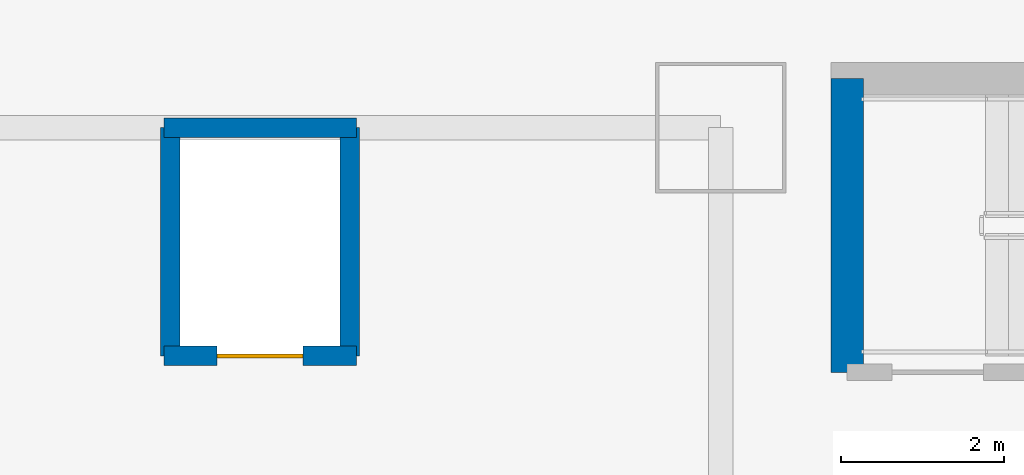
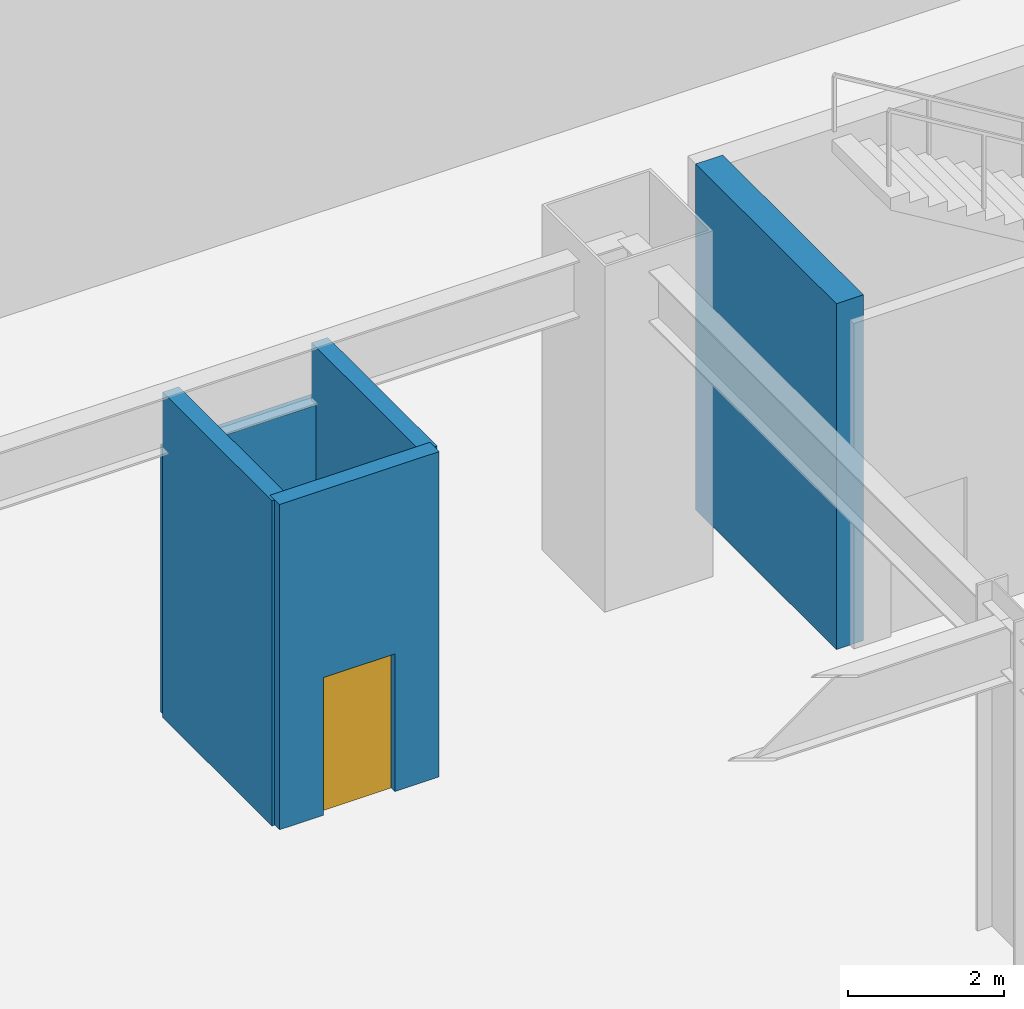
# One storey, part 6 of 16: 5 walls, 1 door, 1 opening.
"""IFC4 building model written with IfcOpenShell, lengths in metres."""

import ifcopenshell
import ifcopenshell.guid

model = None  # the IFC model being written
_history = None  # IfcOwnerHistory: only IFC2X3 demands one
_inside = {}  # id of a spatial element -> (the spatial element, [elements in it])
_under = {}  # id of a project, library or spatial element -> (it, [spatial elements below it])
_declared = {}  # id of a project -> (the project, [libraries it declares])
_typed = {}  # id of a type object -> (the type object, [elements of that type])
_made_of = {}  # id of a material, layer set ... -> (it, [elements and type objects made of it])


def new_model(schema):
    """Start an empty IFC model of exactly this schema.

    Asked for "IFC4X3", IfcOpenShell would pick the latest addendum, in which some entities
    have other attributes; the version numbers below select the first issue.
    IFC2X3 requires an IfcOwnerHistory on every rooted entity: one is made here for all.
    """
    global model, _history
    if schema == "IFC4X3":
        model = ifcopenshell.file(schema_version=(4, 3, 0, 0))
    else:
        model = ifcopenshell.file(schema=schema)
    _inside.clear()
    _under.clear()
    _declared.clear()
    _typed.clear()
    _made_of.clear()
    _history = None
    if model.schema == "IFC2X3":
        org = make("IfcOrganization", Name="unknown")
        user = make(
            "IfcPersonAndOrganization",
            ThePerson=make("IfcPerson", FamilyName="unknown"),
            TheOrganization=org,
        )
        app = make(
            "IfcApplication",
            ApplicationDeveloper=org,
            Version="unknown",
            ApplicationFullName="unknown",
            ApplicationIdentifier="unknown",
        )
        _history = make(
            "IfcOwnerHistory",
            OwningUser=user,
            OwningApplication=app,
            ChangeAction="ADDED",
            CreationDate=0,
        )
    return model


def make(cls, **values):
    """One entity of the class cls with the attributes given. An attribute that is None is left unset."""
    return model.create_entity(
        cls, **{name: value for name, value in values.items() if value is not None}
    )


def rooted(cls, **values):
    """An entity with a GlobalId (a new one), such as an element, a storey or a relation."""
    return make(cls, GlobalId=ifcopenshell.guid.new(), OwnerHistory=_history, **values)


def si_unit(unit_type, name, prefix=None):
    """IfcSIUnit, for example si_unit("LENGTHUNIT", "METRE", prefix="MILLI")."""
    return make("IfcSIUnit", UnitType=unit_type, Prefix=prefix, Name=name)


def assignment(units):
    """IfcUnitAssignment: the units of a project."""
    return None if units is None else make("IfcUnitAssignment", Units=units)


def point(xyz):
    """IfcCartesianPoint."""
    return None if xyz is None else make("IfcCartesianPoint", Coordinates=xyz)


def direction(xyz):
    """IfcDirection."""
    return None if xyz is None else make("IfcDirection", DirectionRatios=xyz)


def frame(location, z_axis=None, x_axis=None):
    """IfcAxis2Placement3D, a coordinate frame: its origin and axes. An axis left out is left unset."""
    return make(
        "IfcAxis2Placement3D",
        Location=point(location),
        Axis=direction(z_axis),
        RefDirection=direction(x_axis),
    )


def frame_2d(location, x_axis=None):
    """IfcAxis2Placement2D, a coordinate frame in the plane: its origin and x axis."""
    return make(
        "IfcAxis2Placement2D", Location=point(location), RefDirection=direction(x_axis)
    )


def origin():
    """The frame at (0, 0, 0) with its axes left unset."""
    return frame((0.0, 0.0, 0.0))


def place(relative_to, where):
    """IfcLocalPlacement: puts the frame where relative to a parent placement (None: the world)."""
    return make(
        "IfcLocalPlacement", PlacementRelTo=relative_to, RelativePlacement=where
    )


def context(
    kind, dimensions, precision=None, world=None, true_north=None, identifier=None
):
    """IfcGeometricRepresentationContext, for example the 3D "Model" context."""
    return make(
        "IfcGeometricRepresentationContext",
        ContextIdentifier=identifier,
        ContextType=kind,
        CoordinateSpaceDimension=dimensions,
        Precision=precision,
        WorldCoordinateSystem=world,
        TrueNorth=true_north,
    )


def subcontext(parent, identifier, kind, view, scale=None):
    """IfcGeometricRepresentationSubContext, for example "Body" below "Model"."""
    return make(
        "IfcGeometricRepresentationSubContext",
        ContextIdentifier=identifier,
        ContextType=kind,
        ParentContext=parent,
        TargetScale=scale,
        TargetView=view,
    )


def project(units=None, contexts=None):
    """IfcProject with its units and contexts."""
    return rooted(
        "IfcProject",
        Name="project",
        RepresentationContexts=contexts,
        UnitsInContext=assignment(units),
    )


def spatial(cls, under=None, at=None, **own):
    """A site, building, storey or space (cls), placed at a placement, below another one or the project."""
    s = rooted(cls, ObjectPlacement=at, **own)
    if under is not None:
        _under.setdefault(under.id(), (under, []))[1].append(s)
    return s


def profile(cls, at=None, kind="AREA", **sizes):
    """A parametric profile (cls). Its sizes go by their IFC names, for example OverallWidth=200.0."""
    return make(cls, ProfileType=kind, Position=at, **sizes)


def rectangle(**sizes):
    """IfcRectangleProfileDef."""
    return profile("IfcRectangleProfileDef", **sizes)


def extrude(swept, where, along, depth):
    """IfcExtrudedAreaSolid: the profile swept, set in the frame where, extruded along a direction by depth."""
    return make(
        "IfcExtrudedAreaSolid",
        SweptArea=swept,
        Position=where,
        ExtrudedDirection=direction(along),
        Depth=depth,
    )


def shape(context_of_items, identifier, shape_type, items):
    """IfcShapeRepresentation: the items that make up one representation, for example the "Body"."""
    return make(
        "IfcShapeRepresentation",
        ContextOfItems=context_of_items,
        RepresentationIdentifier=identifier,
        RepresentationType=shape_type,
        Items=items,
    )


def material(Name=None, Category=None):
    """IfcMaterial."""
    return make("IfcMaterial", Name=Name, Category=Category)


def layer(
    of_material, thickness, ventilated=None, Name=None, Category=None, Priority=None
):
    """IfcMaterialLayer: one layer of a wall or slab, of a material (None: an air gap)."""
    return make(
        "IfcMaterialLayer",
        Material=of_material,
        LayerThickness=thickness,
        IsVentilated=ventilated,
        Name=Name,
        Category=Category,
        Priority=Priority,
    )


def layer_set(layers, Name=None):
    """IfcMaterialLayerSet."""
    return make("IfcMaterialLayerSet", MaterialLayers=layers, LayerSetName=Name)


def made_of(thing, what):
    """Note that an element or type object is made of a material, layer set ...; save() writes the relation."""
    if what is not None:
        _made_of.setdefault(what.id(), (what, []))[1].append(thing)
    return thing


def type_object(cls, material=None, **own):
    """A type object (cls), such as IfcWallType, which elements share."""
    return made_of(rooted(cls, **own), material)


def element(
    cls,
    number,
    at=None,
    inside=None,
    cuts=None,
    type_object=None,
    material=None,
    context=None,
    identifier="Body",
    shape_type=None,
    held_by="IfcProductDefinitionShape",
    body=None,
    shapes=None,
    **own,
):
    """One element of the class cls, such as IfcWall. Its Tag is "e" and its number.

    at: its placement. inside: the storey or other place that contains it. cuts: it is an
    opening in that element (IfcRelVoidsElement). A single representation is given by context,
    identifier, shape_type and body (its items); several are given by shapes. held_by: the class
    of the entity that holds the representations. save() writes the other relations.
    """
    e = rooted(cls, Tag="e%d" % number, ObjectPlacement=at, **own)
    if body is not None:
        shapes = [shape(context, identifier, shape_type, body)]
    if shapes is not None:
        e.Representation = make(held_by, Representations=shapes)
    if inside is not None:
        _inside.setdefault(inside.id(), (inside, []))[1].append(e)
    if cuts is not None:
        rooted(
            "IfcRelVoidsElement", RelatingBuildingElement=cuts, RelatedOpeningElement=e
        )
    if type_object is not None:
        _typed.setdefault(type_object.id(), (type_object, []))[1].append(e)
    return made_of(e, material)


def fill(opening, filler):
    """IfcRelFillsElement: the door or window that sits in an opening."""
    return rooted(
        "IfcRelFillsElement",
        RelatingOpeningElement=opening,
        RelatedBuildingElement=filler,
    )


def aggregate(whole, parts):
    """IfcRelAggregates: a whole, such as a stair, and the parts it consists of."""
    return rooted("IfcRelAggregates", RelatingObject=whole, RelatedObjects=parts)


def save(model, path):
    """Write the relations noted so far, then the file.

    IfcRelAggregates (storeys below a building ...), IfcRelContainedInSpatialStructure (elements
    in a storey), IfcRelDefinesByType, IfcRelAssociatesMaterial and IfcRelDeclares: one each for
    every whole, place, type object, material and project.
    """
    for whole, parts in _under.values():
        aggregate(whole, parts)
    for where, things in _inside.values():
        rooted(
            "IfcRelContainedInSpatialStructure",
            RelatedElements=things,
            RelatingStructure=where,
        )
    for kind, things in _typed.values():
        rooted("IfcRelDefinesByType", RelatedObjects=things, RelatingType=kind)
    for what, things in _made_of.values():
        rooted("IfcRelAssociatesMaterial", RelatedObjects=things, RelatingMaterial=what)
    for by, libraries in _declared.values():
        rooted("IfcRelDeclares", RelatingContext=by, RelatedDefinitions=libraries)
    model.write(path)


model = new_model("IFC4")

# Units and contexts
model_context = context("Model", 3, precision=1e-05, world=origin(), true_north=direction((0.0, 1.0)))
body_context = subcontext(model_context, "Body", "Model", "MODEL_VIEW")
ifc_project = project(units=[si_unit("LENGTHUNIT", "METRE"), si_unit("AREAUNIT", "SQUARE_METRE"), si_unit("VOLUMEUNIT", "CUBIC_METRE"), si_unit("PLANEANGLEUNIT", "RADIAN"), si_unit("MASSUNIT", "GRAM", prefix="KILO")], contexts=[model_context])

# Site, building, storey
site_placement = place(None, origin())
site = spatial("IfcSite", under=ifc_project, at=site_placement, CompositionType="ELEMENT")
building_placement = place(site_placement, origin())
building = spatial("IfcBuilding", under=site, at=building_placement, Name="Haevon Station Towers", CompositionType="ELEMENT")
storey_placement = place(building_placement, frame((0.0, 0.0, -5.39990234375)))
storey = spatial("IfcBuildingStorey", under=building, at=storey_placement, Name="B01", CompositionType="ELEMENT", Elevation=-5.39990234375)

# Wall
ifc_material_1 = material(Name="Concrete C60/75", Category="concrete")
ifc_layer_1 = layer(ifc_material_1, 0.39990234375)
ifc_layer_set_1 = layer_set([ifc_layer_1], Name="Concrete C60/75")
wall_type_1 = type_object("IfcWallType", Name="WL-CR400", PredefinedType="SHEAR", material=ifc_layer_set_1)
wall_1_placement = place(storey_placement, frame((66.300048828125, 45.0, 0.0), z_axis=(0.0, 0.0, 1.0), x_axis=(0.0, 1.0, 0.0)))
element("IfcWall", 1, at=wall_1_placement, inside=storey, type_object=wall_type_1, Name="WL-ST6CR-B01-W", PredefinedType="SHEAR", context=body_context, shape_type="SweptSolid", body=[
    extrude(rectangle(XDim=3.60009765625, YDim=0.39990234375, at=frame_2d((1.800048828125, 0.0))), origin(), (0.0, 0.0, 1.0), 5.39990234375),
])

# Wall, opening, door
ifc_material_2 = material(Name="Concrete C40/50", Category="concrete")
ifc_layer_2 = layer(ifc_material_2, 0.239990234375)
ifc_layer_set_2 = layer_set([ifc_layer_2], Name="Concrete C40/50")
wall_type_2 = type_object("IfcWallType", Name="WL-SHF240", PredefinedType="PARTITIONING", material=ifc_layer_set_2)
wall_2_placement = place(storey_placement, frame((57.919921875, 45.199951171875, 0.0), z_axis=(0.0, 0.0, 1.0), x_axis=(1.0, 0.0, 0.0)))
wall_2 = element("IfcWall", 2, at=wall_2_placement, inside=storey, type_object=wall_type_2, Name="WL-SHF-PL11-B01", PredefinedType="PARTITIONING", context=body_context, shape_type="SweptSolid", body=[
    extrude(rectangle(XDim=2.360107421875, YDim=0.239990234375, at=frame_2d((1.18017578125, 0.0))), origin(), (0.0, 0.0, 1.0), 5.079833984375),
])
opening_placement = place(wall_2_placement, frame((0.655029296875, 0.0, 0.0)))
opening = element("IfcOpeningElement", 3, at=opening_placement, cuts=wall_2, Name="Opening LD-PL11-B01", PredefinedType="OPENING", context=body_context, shape_type="SweptSolid", body=[
    extrude(rectangle(XDim=1.050048828125, YDim=2.14990234375, at=frame_2d((0.52490234375, 1.074951171875))), frame((0.0, 0.1298828125, 0.0), z_axis=(0.0, -1.0, 0.0), x_axis=(1.0, 0.0, 0.0)), (0.0, 0.0, 1.0), 0.260009765625),
])
ifc_material_3 = material(Name="Stainless steel and rated core", Category="steel")
door_type = type_object("IfcDoorType", Name="LD-PL1050", OperationType="SLIDING_TO_LEFT", PredefinedType="DOOR", material=ifc_material_3)
door_placement = place(opening_placement, origin())
door = element("IfcDoor", 4, at=door_placement, inside=storey, type_object=door_type, Name="B01 Lift PL11 Sliding Landing Door", OperationType="SLIDING_TO_LEFT", OverallHeight=2.14990234375, OverallWidth=1.050048828125, PredefinedType="DOOR", context=body_context, shape_type="SweptSolid", body=[
    extrude(rectangle(XDim=1.050048828125, YDim=2.14990234375, at=frame_2d((0.52490234375, 1.074951171875))), frame((0.0, 0.02490234375, 0.0), z_axis=(0.0, -1.0, 0.0), x_axis=(1.0, 0.0, 0.0)), (0.0, 0.0, 1.0), 0.050048828125),
])
fill(opening, door)

# Walls
wall_3_placement = place(storey_placement, frame((57.919921875, 48.0, 0.0), z_axis=(0.0, 0.0, 1.0), x_axis=(1.0, 0.0, 0.0)))
element("IfcWall", 5, at=wall_3_placement, inside=storey, type_object=wall_type_2, Name="WL-SHF-PL11-B01-N", PredefinedType="PARTITIONING", context=body_context, shape_type="SweptSolid", body=[
    extrude(rectangle(XDim=2.360107421875, YDim=0.239990234375, at=frame_2d((1.18017578125, 0.0))), origin(), (0.0, 0.0, 1.0), 4.179931640625),
])
for number, where, z_axis, x_axis, name in (
    (6, (58.0, 45.199951171875, 0.0), (0.0, 0.0, 1.0), (0.0, 1.0, 0.0), "WL-SHF-PL11-B01-W"),
    (7, (60.199951171875, 45.199951171875, 0.0), (0.0, 0.0, 1.0), (0.0, 1.0, 0.0), "WL-SHF-PL11-B01-E"),
):
    element("IfcWall", number, at=place(storey_placement, frame(where, z_axis=z_axis, x_axis=x_axis)), inside=storey, type_object=wall_type_2, Name=name, PredefinedType="PARTITIONING", context=body_context, shape_type="SweptSolid", body=[
        extrude(rectangle(XDim=2.800048828125, YDim=0.239990234375, at=frame_2d((1.39990234375, 0.0))), origin(), (0.0, 0.0, 1.0), 5.079833984375),
    ])

save(model, "model.ifc")
